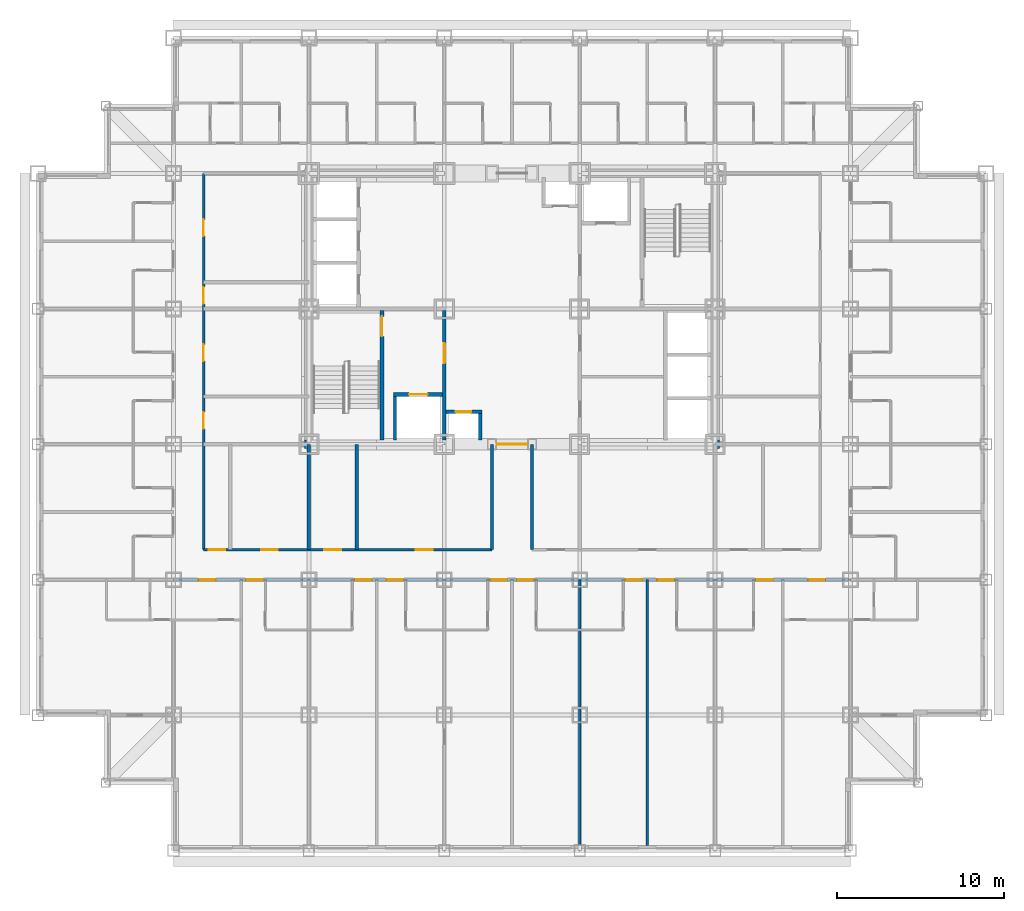
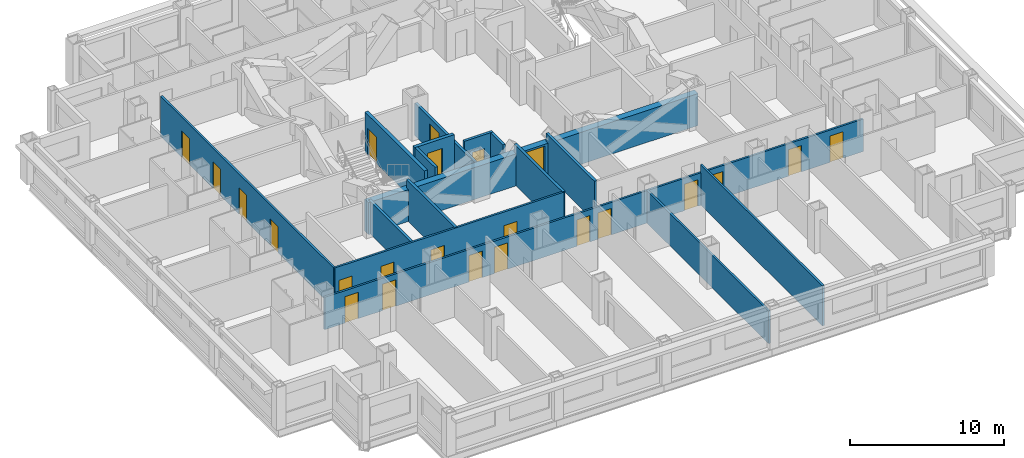
# One storey, part 5 of 12: 23 doors, 16 walls, 23 openings.
"""IFC4 building model written with IfcOpenShell, lengths in metres."""

from ifc_helpers import new_model, si_unit, direction, frame, frame_2d, origin, place, context, subcontext, project, spatial, rectangle, extrude, material, layer, layer_set, type_object, element, fill, save


model = new_model("IFC4")

# Units and contexts
model_context = context("Model", 3, precision=1e-05, world=origin(), true_north=direction((0.0, 1.0)))
body_context = subcontext(model_context, "Body", "Model", "MODEL_VIEW")
ifc_project = project(units=[si_unit("LENGTHUNIT", "METRE"), si_unit("AREAUNIT", "SQUARE_METRE"), si_unit("VOLUMEUNIT", "CUBIC_METRE"), si_unit("PLANEANGLEUNIT", "RADIAN"), si_unit("MASSUNIT", "GRAM", prefix="KILO")], contexts=[model_context])

# Site, building, storey
site_placement = place(None, origin())
site = spatial("IfcSite", under=ifc_project, at=site_placement, CompositionType="ELEMENT")
building_placement = place(site_placement, origin())
building = spatial("IfcBuilding", under=site, at=building_placement, Name="Kopane Lantern Tower", CompositionType="ELEMENT")
storey_placement = place(building_placement, frame((0.0, 0.0, 46.60009765625)))
storey = spatial("IfcBuildingStorey", under=building, at=storey_placement, Name="L10", CompositionType="ELEMENT", Elevation=46.60009765625)

# Wall, opening, door
ifc_material_1 = material(Name="Gypsum shaft wall EI 120", Category="gypsum")
ifc_layer_1 = layer(ifc_material_1, 0.5)
ifc_layer_set_1 = layer_set([ifc_layer_1], Name="CORE PERIMETER WALL 500 EI 120")
wall_type_1 = type_object("IfcWallType", Name="CORE PERIMETER WALL 500 EI 120", PredefinedType="SOLIDWALL", material=ifc_layer_set_1)
wall_1_placement = place(storey_placement, frame((15.949951171875, 24.300048828125, 0.0), z_axis=(0.0, 0.0, 1.0), x_axis=(1.0, 0.0, 0.0)))
wall_1 = element("IfcWall", 1, at=wall_1_placement, inside=storey, type_object=wall_type_1, Name="Core shaft wall L10 PS", PredefinedType="SOLIDWALL", context=body_context, shape_type="SweptSolid", body=[
    extrude(rectangle(XDim=24.800048828125, YDim=0.5, at=frame_2d((12.39990234375, 0.0))), origin(), (0.0, 0.0, 1.0), 2.539794921875),
])
opening_1_placement = place(wall_1_placement, frame((11.5, 0.0, 0.0)))
opening_1 = element("IfcOpeningElement", 2, at=opening_1_placement, cuts=wall_1, Name="Opening 10.CE-S", PredefinedType="OPENING", context=body_context, shape_type="SweptSolid", body=[
    extrude(rectangle(XDim=1.800048828125, YDim=2.39990234375, at=frame_2d((0.89990234375, 1.199951171875))), frame((0.0, 0.260009765625, 0.0), z_axis=(0.0, -1.0, 0.0), x_axis=(1.0, 0.0, 0.0)), (0.0, 0.0, 1.0), 0.52001953125),
])
ifc_material_2 = material(Name="Steel door set", Category="steel")
door_type_1 = type_object("IfcDoorType", Name="CORE ENTRY DOOR 1800x2400 FD60S", OperationType="DOUBLE_DOOR_SINGLE_SWING", PredefinedType="DOOR", material=ifc_material_2)
door_1_placement = place(opening_1_placement, origin())
door_1 = element("IfcDoor", 3, at=door_1_placement, inside=storey, type_object=door_type_1, Name="Core entry door L10 south", OperationType="DOUBLE_DOOR_SINGLE_SWING", OverallHeight=2.39990234375, OverallWidth=1.800048828125, PredefinedType="DOOR", context=body_context, shape_type="SweptSolid", body=[
    extrude(rectangle(XDim=1.800048828125, YDim=2.39990234375, at=frame_2d((0.89990234375, 1.199951171875))), frame((0.0, 0.02490234375, 0.0), z_axis=(0.0, -1.0, 0.0), x_axis=(1.0, 0.0, 0.0)), (0.0, 0.0, 1.0), 0.050048828125),
])
fill(opening_1, door_1)

ifc_material_3 = material(Name="Gypsum shaft wall EI 120", Category="gypsum")
ifc_layer_2 = layer(ifc_material_3, 0.25)
ifc_layer_set_2 = layer_set([ifc_layer_2], Name="CORE SHAFT WALL 250 EI 120")
wall_type_2 = type_object("IfcWallType", Name="CORE SHAFT WALL 250 EI 120", PredefinedType="SOLIDWALL", material=ifc_layer_set_2)
wall_2_placement = place(storey_placement, frame((20.574951171875, 24.550048828125, 0.0), z_axis=(0.0, 0.0, 1.0), x_axis=(0.0, 1.0, 0.0)))
wall_2 = element("IfcWall", 4, at=wall_2_placement, inside=storey, type_object=wall_type_2, Name="Core shaft wall L10 XST1", PredefinedType="SOLIDWALL", context=body_context, shape_type="SweptSolid", body=[
    extrude(rectangle(XDim=7.75, YDim=0.25, at=frame_2d((3.875, 0.0))), origin(), (0.0, 0.0, 1.0), 3.18994140625),
])
opening_2_placement = place(wall_2_placement, frame((6.199951171875, 0.0, 0.0)))
opening_2 = element("IfcOpeningElement", 5, at=opening_2_placement, cuts=wall_2, Name="Opening 10.SD1", PredefinedType="OPENING", context=body_context, shape_type="SweptSolid", body=[
    extrude(rectangle(XDim=1.199951171875, YDim=2.10009765625, at=frame_2d((0.60009765625, 1.050048828125))), frame((0.0, 0.135009765625, 0.0), z_axis=(0.0, -1.0, 0.0), x_axis=(1.0, 0.0, 0.0)), (0.0, 0.0, 1.0), 0.27001953125),
])
ifc_material_4 = material(Name="Steel door set", Category="steel")
door_type_2 = type_object("IfcDoorType", Name="STAIR DOOR 1200x2100 FD60S", OperationType="SINGLE_SWING_LEFT", PredefinedType="DOOR", material=ifc_material_4)
door_2_placement = place(opening_2_placement, origin())
door_2 = element("IfcDoor", 6, at=door_2_placement, inside=storey, type_object=door_type_2, Name="Stair door ST1 L10", OperationType="SINGLE_SWING_LEFT", OverallHeight=2.10009765625, OverallWidth=1.199951171875, PredefinedType="DOOR", context=body_context, shape_type="SweptSolid", body=[
    extrude(rectangle(XDim=1.199951171875, YDim=2.10009765625, at=frame_2d((0.60009765625, 1.050048828125))), frame((0.0, 0.02490234375, 0.0), z_axis=(0.0, -1.0, 0.0), x_axis=(1.0, 0.0, 0.0)), (0.0, 0.0, 1.0), 0.050048828125),
])
fill(opening_2, door_2)

wall_3_placement = place(storey_placement, frame((21.25, 27.27490234375, 0.0), z_axis=(0.0, 0.0, 1.0), x_axis=(1.0, 0.0, 0.0)))
wall_3 = element("IfcWall", 7, at=wall_3_placement, inside=storey, type_object=wall_type_2, Name="Core shaft wall L10 YLF1", PredefinedType="SOLIDWALL", context=body_context, shape_type="SweptSolid", body=[
    extrude(rectangle(XDim=2.949951171875, YDim=0.25, at=frame_2d((1.47509765625, 0.0))), origin(), (0.0, 0.0, 1.0), 3.18994140625),
])
opening_3_placement = place(wall_3_placement, frame((0.949951171875, 0.0, 0.0)))
opening_3 = element("IfcOpeningElement", 8, at=opening_3_placement, cuts=wall_3, Name="Opening 10.LD-LF1", PredefinedType="OPENING", context=body_context, shape_type="SweptSolid", body=[
    extrude(rectangle(XDim=1.10009765625, YDim=2.39990234375, at=frame_2d((0.550048828125, 1.199951171875))), frame((0.0, 0.135009765625, 0.0), z_axis=(0.0, -1.0, 0.0), x_axis=(1.0, 0.0, 0.0)), (0.0, 0.0, 1.0), 0.27001953125),
])
ifc_material_5 = material(Name="Steel door set", Category="steel")
door_type_3 = type_object("IfcDoorType", Name="LIFT LANDING DOOR 1100x2400 FD60", OperationType="DOUBLE_DOOR_SLIDING", PredefinedType="DOOR", material=ifc_material_5)
door_3_placement = place(opening_3_placement, origin())
door_3 = element("IfcDoor", 9, at=door_3_placement, inside=storey, type_object=door_type_3, Name="Landing door LF1 L10", OperationType="DOUBLE_DOOR_SLIDING", OverallHeight=2.39990234375, OverallWidth=1.10009765625, PredefinedType="DOOR", context=body_context, shape_type="SweptSolid", body=[
    extrude(rectangle(XDim=1.10009765625, YDim=2.39990234375, at=frame_2d((0.550048828125, 1.199951171875))), frame((0.0, 0.02490234375, 0.0), z_axis=(0.0, -1.0, 0.0), x_axis=(1.0, 0.0, 0.0)), (0.0, 0.0, 1.0), 0.050048828125),
])
fill(opening_3, door_3)

# Wall, openings, doors
ifc_material_6 = material(Name="Gypsum board on steel studs", Category="steel")
ifc_layer_3 = layer(ifc_material_6, 0.14990234375)
ifc_layer_set_3 = layer_set([ifc_layer_3], Name="CORRIDOR WALL 150 EI 60")
wall_type_3 = type_object("IfcWallType", Name="CORRIDOR WALL 150 EI 60", PredefinedType="PARTITIONING", material=ifc_layer_set_3)
wall_4_placement = place(storey_placement, frame((8.10009765625, 16.199951171875, 0.0), z_axis=(0.0, 0.0, 1.0), x_axis=(1.0, 0.0, 0.0)))
wall_4 = element("IfcWall", 10, at=wall_4_placement, inside=storey, type_object=wall_type_3, Name="Corridor Wall 150 Ei 60 L10", PredefinedType="PARTITIONING", context=body_context, shape_type="SweptSolid", body=[
    extrude(rectangle(XDim=40.5, YDim=0.14990234375, at=frame_2d((20.25, 0.0))), origin(), (0.0, 0.0, 1.0), 2.57763671875),
])
opening_4_placement = place(wall_4_placement, frame((4.35009765625, 0.0, 0.0)))
opening_4 = element("IfcOpeningElement", 11, at=opening_4_placement, cuts=wall_4, Name="Opening L10-017", PredefinedType="OPENING", context=body_context, shape_type="SweptSolid", body=[
    extrude(rectangle(XDim=1.0, YDim=2.10009765625, at=frame_2d((0.5, 1.050048828125))), frame((0.0, 0.0849609375, 0.0), z_axis=(0.0, -1.0, 0.0), x_axis=(1.0, 0.0, 0.0)), (0.0, 0.0, 1.0), 0.169921875),
])
opening_5_placement = place(wall_4_placement, frame((10.85009765625, 0.0, 0.0)))
opening_5 = element("IfcOpeningElement", 12, at=opening_5_placement, cuts=wall_4, Name="Opening L10-019", PredefinedType="OPENING", context=body_context, shape_type="SweptSolid", body=[
    extrude(rectangle(XDim=1.0, YDim=2.10009765625, at=frame_2d((0.5, 1.050048828125))), frame((0.0, 0.0849609375, 0.0), z_axis=(0.0, -1.0, 0.0), x_axis=(1.0, 0.0, 0.0)), (0.0, 0.0, 1.0), 0.169921875),
])
opening_6_placement = place(wall_4_placement, frame((12.75, 0.0, 0.0)))
opening_6 = element("IfcOpeningElement", 13, at=opening_6_placement, cuts=wall_4, Name="Opening L10-021", PredefinedType="OPENING", context=body_context, shape_type="SweptSolid", body=[
    extrude(rectangle(XDim=1.0, YDim=2.10009765625, at=frame_2d((0.5, 1.050048828125))), frame((0.0, 0.0849609375, 0.0), z_axis=(0.0, -1.0, 0.0), x_axis=(1.0, 0.0, 0.0)), (0.0, 0.0, 1.0), 0.169921875),
])
opening_7_placement = place(wall_4_placement, frame((18.949951171875, 0.0, 0.0)))
opening_7 = element("IfcOpeningElement", 14, at=opening_7_placement, cuts=wall_4, Name="Opening L10-023", PredefinedType="OPENING", context=body_context, shape_type="SweptSolid", body=[
    extrude(rectangle(XDim=1.0, YDim=2.10009765625, at=frame_2d((0.5, 1.050048828125))), frame((0.0, 0.0849609375, 0.0), z_axis=(0.0, -1.0, 0.0), x_axis=(1.0, 0.0, 0.0)), (0.0, 0.0, 1.0), 0.169921875),
])
opening_8_placement = place(wall_4_placement, frame((20.550048828125, 0.0, 0.0)))
opening_8 = element("IfcOpeningElement", 15, at=opening_8_placement, cuts=wall_4, Name="Opening L10-026", PredefinedType="OPENING", context=body_context, shape_type="SweptSolid", body=[
    extrude(rectangle(XDim=1.0, YDim=2.10009765625, at=frame_2d((0.5, 1.050048828125))), frame((0.0, 0.0849609375, 0.0), z_axis=(0.0, -1.0, 0.0), x_axis=(1.0, 0.0, 0.0)), (0.0, 0.0, 1.0), 0.169921875),
])
opening_9_placement = place(wall_4_placement, frame((27.050048828125, 0.0, 0.0)))
opening_9 = element("IfcOpeningElement", 16, at=opening_9_placement, cuts=wall_4, Name="Opening L10-028", PredefinedType="OPENING", context=body_context, shape_type="SweptSolid", body=[
    extrude(rectangle(XDim=1.0, YDim=2.10009765625, at=frame_2d((0.5, 1.050048828125))), frame((0.0, 0.0849609375, 0.0), z_axis=(0.0, -1.0, 0.0), x_axis=(1.0, 0.0, 0.0)), (0.0, 0.0, 1.0), 0.169921875),
])
opening_10_placement = place(wall_4_placement, frame((28.949951171875, 0.0, 0.0)))
opening_10 = element("IfcOpeningElement", 17, at=opening_10_placement, cuts=wall_4, Name="Opening L10-030", PredefinedType="OPENING", context=body_context, shape_type="SweptSolid", body=[
    extrude(rectangle(XDim=1.0, YDim=2.10009765625, at=frame_2d((0.5, 1.050048828125))), frame((0.0, 0.0849609375, 0.0), z_axis=(0.0, -1.0, 0.0), x_axis=(1.0, 0.0, 0.0)), (0.0, 0.0, 1.0), 0.169921875),
])
opening_11_placement = place(wall_4_placement, frame((34.85009765625, 0.0, 0.0)))
opening_11 = element("IfcOpeningElement", 18, at=opening_11_placement, cuts=wall_4, Name="Opening L10-032", PredefinedType="OPENING", context=body_context, shape_type="SweptSolid", body=[
    extrude(rectangle(XDim=1.0, YDim=2.10009765625, at=frame_2d((0.5, 1.050048828125))), frame((0.0, 0.0849609375, 0.0), z_axis=(0.0, -1.0, 0.0), x_axis=(1.0, 0.0, 0.0)), (0.0, 0.0, 1.0), 0.169921875),
])
opening_12_placement = place(wall_4_placement, frame((1.52490234375, 0.0, 0.0)))
opening_12 = element("IfcOpeningElement", 19, at=opening_12_placement, cuts=wall_4, Name="Opening L10-073", PredefinedType="OPENING", context=body_context, shape_type="SweptSolid", body=[
    extrude(rectangle(XDim=1.0, YDim=2.10009765625, at=frame_2d((0.5, 1.050048828125))), frame((0.0, 0.0849609375, 0.0), z_axis=(0.0, -1.0, 0.0), x_axis=(1.0, 0.0, 0.0)), (0.0, 0.0, 1.0), 0.169921875),
])
opening_13_placement = place(wall_4_placement, frame((37.97509765625, 0.0, 0.0)))
opening_13 = element("IfcOpeningElement", 20, at=opening_13_placement, cuts=wall_4, Name="Opening L10-078", PredefinedType="OPENING", context=body_context, shape_type="SweptSolid", body=[
    extrude(rectangle(XDim=1.0, YDim=2.10009765625, at=frame_2d((0.5, 1.050048828125))), frame((0.0, 0.0849609375, 0.0), z_axis=(0.0, -1.0, 0.0), x_axis=(1.0, 0.0, 0.0)), (0.0, 0.0, 1.0), 0.169921875),
])
ifc_material_7 = material(Name="Steel door set", Category="steel")
door_type_4 = type_object("IfcDoorType", Name="DOOR D1 1000x2100 FD30S", OperationType="SINGLE_SWING_LEFT", PredefinedType="DOOR", material=ifc_material_7)
door_4_placement = place(opening_4_placement, origin())
door_4 = element("IfcDoor", 21, at=door_4_placement, inside=storey, type_object=door_type_4, Name="Door L10-017", OperationType="SINGLE_SWING_LEFT", OverallHeight=2.10009765625, OverallWidth=1.0, PredefinedType="DOOR", context=body_context, shape_type="SweptSolid", body=[
    extrude(rectangle(XDim=1.0, YDim=2.10009765625, at=frame_2d((0.5, 1.050048828125))), frame((0.0, 0.02490234375, 0.0), z_axis=(0.0, -1.0, 0.0), x_axis=(1.0, 0.0, 0.0)), (0.0, 0.0, 1.0), 0.050048828125),
])
fill(opening_4, door_4)
door_5_placement = place(opening_5_placement, origin())
door_5 = element("IfcDoor", 22, at=door_5_placement, inside=storey, type_object=door_type_4, Name="Door L10-019", OperationType="SINGLE_SWING_RIGHT", OverallHeight=2.10009765625, OverallWidth=1.0, PredefinedType="DOOR", context=body_context, shape_type="SweptSolid", body=[
    extrude(rectangle(XDim=1.0, YDim=2.10009765625, at=frame_2d((0.5, 1.050048828125))), frame((0.0, 0.02490234375, 0.0), z_axis=(0.0, -1.0, 0.0), x_axis=(1.0, 0.0, 0.0)), (0.0, 0.0, 1.0), 0.050048828125),
])
fill(opening_5, door_5)
door_6_placement = place(opening_6_placement, origin())
door_6 = element("IfcDoor", 23, at=door_6_placement, inside=storey, type_object=door_type_4, Name="Door L10-021", OperationType="SINGLE_SWING_LEFT", OverallHeight=2.10009765625, OverallWidth=1.0, PredefinedType="DOOR", context=body_context, shape_type="SweptSolid", body=[
    extrude(rectangle(XDim=1.0, YDim=2.10009765625, at=frame_2d((0.5, 1.050048828125))), frame((0.0, 0.02490234375, 0.0), z_axis=(0.0, -1.0, 0.0), x_axis=(1.0, 0.0, 0.0)), (0.0, 0.0, 1.0), 0.050048828125),
])
fill(opening_6, door_6)
door_7_placement = place(opening_7_placement, origin())
door_7 = element("IfcDoor", 24, at=door_7_placement, inside=storey, type_object=door_type_4, Name="Door L10-023", OperationType="SINGLE_SWING_RIGHT", OverallHeight=2.10009765625, OverallWidth=1.0, PredefinedType="DOOR", context=body_context, shape_type="SweptSolid", body=[
    extrude(rectangle(XDim=1.0, YDim=2.10009765625, at=frame_2d((0.5, 1.050048828125))), frame((0.0, 0.02490234375, 0.0), z_axis=(0.0, -1.0, 0.0), x_axis=(1.0, 0.0, 0.0)), (0.0, 0.0, 1.0), 0.050048828125),
])
fill(opening_7, door_7)
door_8_placement = place(opening_8_placement, origin())
door_8 = element("IfcDoor", 25, at=door_8_placement, inside=storey, type_object=door_type_4, Name="Door L10-026", OperationType="SINGLE_SWING_LEFT", OverallHeight=2.10009765625, OverallWidth=1.0, PredefinedType="DOOR", context=body_context, shape_type="SweptSolid", body=[
    extrude(rectangle(XDim=1.0, YDim=2.10009765625, at=frame_2d((0.5, 1.050048828125))), frame((0.0, 0.02490234375, 0.0), z_axis=(0.0, -1.0, 0.0), x_axis=(1.0, 0.0, 0.0)), (0.0, 0.0, 1.0), 0.050048828125),
])
fill(opening_8, door_8)
door_9_placement = place(opening_9_placement, origin())
door_9 = element("IfcDoor", 26, at=door_9_placement, inside=storey, type_object=door_type_4, Name="Door L10-028", OperationType="SINGLE_SWING_RIGHT", OverallHeight=2.10009765625, OverallWidth=1.0, PredefinedType="DOOR", context=body_context, shape_type="SweptSolid", body=[
    extrude(rectangle(XDim=1.0, YDim=2.10009765625, at=frame_2d((0.5, 1.050048828125))), frame((0.0, 0.02490234375, 0.0), z_axis=(0.0, -1.0, 0.0), x_axis=(1.0, 0.0, 0.0)), (0.0, 0.0, 1.0), 0.050048828125),
])
fill(opening_9, door_9)
door_10_placement = place(opening_10_placement, origin())
door_10 = element("IfcDoor", 27, at=door_10_placement, inside=storey, type_object=door_type_4, Name="Door L10-030", OperationType="SINGLE_SWING_LEFT", OverallHeight=2.10009765625, OverallWidth=1.0, PredefinedType="DOOR", context=body_context, shape_type="SweptSolid", body=[
    extrude(rectangle(XDim=1.0, YDim=2.10009765625, at=frame_2d((0.5, 1.050048828125))), frame((0.0, 0.02490234375, 0.0), z_axis=(0.0, -1.0, 0.0), x_axis=(1.0, 0.0, 0.0)), (0.0, 0.0, 1.0), 0.050048828125),
])
fill(opening_10, door_10)
door_11_placement = place(opening_11_placement, origin())
door_11 = element("IfcDoor", 28, at=door_11_placement, inside=storey, type_object=door_type_4, Name="Door L10-032", OperationType="SINGLE_SWING_RIGHT", OverallHeight=2.10009765625, OverallWidth=1.0, PredefinedType="DOOR", context=body_context, shape_type="SweptSolid", body=[
    extrude(rectangle(XDim=1.0, YDim=2.10009765625, at=frame_2d((0.5, 1.050048828125))), frame((0.0, 0.02490234375, 0.0), z_axis=(0.0, -1.0, 0.0), x_axis=(1.0, 0.0, 0.0)), (0.0, 0.0, 1.0), 0.050048828125),
])
fill(opening_11, door_11)
door_12_placement = place(opening_12_placement, origin())
door_12 = element("IfcDoor", 29, at=door_12_placement, inside=storey, type_object=door_type_4, Name="Door L10-073", OperationType="SINGLE_SWING_LEFT", OverallHeight=2.10009765625, OverallWidth=1.0, PredefinedType="DOOR", context=body_context, shape_type="SweptSolid", body=[
    extrude(rectangle(XDim=1.0, YDim=2.10009765625, at=frame_2d((0.5, 1.050048828125))), frame((0.0, 0.02490234375, 0.0), z_axis=(0.0, -1.0, 0.0), x_axis=(1.0, 0.0, 0.0)), (0.0, 0.0, 1.0), 0.050048828125),
])
fill(opening_12, door_12)
door_13_placement = place(opening_13_placement, origin())
door_13 = element("IfcDoor", 30, at=door_13_placement, inside=storey, type_object=door_type_4, Name="Door L10-078", OperationType="SINGLE_SWING_RIGHT", OverallHeight=2.10009765625, OverallWidth=1.0, PredefinedType="DOOR", context=body_context, shape_type="SweptSolid", body=[
    extrude(rectangle(XDim=1.0, YDim=2.10009765625, at=frame_2d((0.5, 1.050048828125))), frame((0.0, 0.02490234375, 0.0), z_axis=(0.0, -1.0, 0.0), x_axis=(1.0, 0.0, 0.0)), (0.0, 0.0, 1.0), 0.050048828125),
])
fill(opening_13, door_13)

wall_5_placement = place(storey_placement, frame((9.89990234375, 40.5, 0.0), z_axis=(0.0, 0.0, 1.0), x_axis=(0.0, -1.0, 0.0)))
wall_5 = element("IfcWall", 31, at=wall_5_placement, inside=storey, type_object=wall_type_3, Name="Corridor Wall 150 Ei 60 L10", PredefinedType="PARTITIONING", context=body_context, shape_type="SweptSolid", body=[
    extrude(rectangle(XDim=22.5, YDim=0.14990234375, at=frame_2d((11.25, 0.0))), origin(), (0.0, 0.0, 1.0), 3.18994140625),
])
opening_14_placement = place(wall_5_placement, frame((14.271484375, 0.0, 0.0)))
opening_14 = element("IfcOpeningElement", 32, at=opening_14_placement, cuts=wall_5, Name="Opening L10-001", PredefinedType="OPENING", context=body_context, shape_type="SweptSolid", body=[
    extrude(rectangle(XDim=1.0, YDim=2.10009765625, at=frame_2d((0.5, 1.050048828125))), frame((0.0, 0.0849609375, 0.0), z_axis=(0.0, -1.0, 0.0), x_axis=(1.0, 0.0, 0.0)), (0.0, 0.0, 1.0), 0.169921875),
])
opening_15_placement = place(wall_5_placement, frame((10.221435546875, 0.0, 0.0)))
opening_15 = element("IfcOpeningElement", 33, at=opening_15_placement, cuts=wall_5, Name="Opening L10-002", PredefinedType="OPENING", context=body_context, shape_type="SweptSolid", body=[
    extrude(rectangle(XDim=1.0, YDim=2.10009765625, at=frame_2d((0.5, 1.050048828125))), frame((0.0, 0.0849609375, 0.0), z_axis=(0.0, -1.0, 0.0), x_axis=(1.0, 0.0, 0.0)), (0.0, 0.0, 1.0), 0.169921875),
])
opening_16_placement = place(wall_5_placement, frame((6.800048828125, 0.0, 0.0)))
opening_16 = element("IfcOpeningElement", 34, at=opening_16_placement, cuts=wall_5, Name="Opening L10-003", PredefinedType="OPENING", context=body_context, shape_type="SweptSolid", body=[
    extrude(rectangle(XDim=1.0, YDim=2.10009765625, at=frame_2d((0.5, 1.050048828125))), frame((0.0, 0.0849609375, 0.0), z_axis=(0.0, -1.0, 0.0), x_axis=(1.0, 0.0, 0.0)), (0.0, 0.0, 1.0), 0.169921875),
])
opening_17_placement = place(wall_5_placement, frame((2.75, 0.0, 0.0)))
opening_17 = element("IfcOpeningElement", 35, at=opening_17_placement, cuts=wall_5, Name="Opening L10-004", PredefinedType="OPENING", context=body_context, shape_type="SweptSolid", body=[
    extrude(rectangle(XDim=1.0, YDim=2.10009765625, at=frame_2d((0.5, 1.050048828125))), frame((0.0, 0.0849609375, 0.0), z_axis=(0.0, -1.0, 0.0), x_axis=(1.0, 0.0, 0.0)), (0.0, 0.0, 1.0), 0.169921875),
])
ifc_material_8 = material(Name="Steel door set", Category="steel")
door_type_5 = type_object("IfcDoorType", Name="DOOR D5 1000x2100 FD60", OperationType="SINGLE_SWING_LEFT", PredefinedType="DOOR", material=ifc_material_8)
door_14_placement = place(opening_14_placement, origin())
door_14 = element("IfcDoor", 36, at=door_14_placement, inside=storey, type_object=door_type_5, Name="Door L10-001", OperationType="SINGLE_SWING_RIGHT", OverallHeight=2.10009765625, OverallWidth=1.0, PredefinedType="DOOR", context=body_context, shape_type="SweptSolid", body=[
    extrude(rectangle(XDim=1.0, YDim=2.10009765625, at=frame_2d((0.5, 1.050048828125))), frame((0.0, 0.02490234375, 0.0), z_axis=(0.0, -1.0, 0.0), x_axis=(1.0, 0.0, 0.0)), (0.0, 0.0, 1.0), 0.050048828125),
])
fill(opening_14, door_14)
door_15_placement = place(opening_15_placement, origin())
door_15 = element("IfcDoor", 37, at=door_15_placement, inside=storey, type_object=door_type_5, Name="Door L10-002", OperationType="SINGLE_SWING_LEFT", OverallHeight=2.10009765625, OverallWidth=1.0, PredefinedType="DOOR", context=body_context, shape_type="SweptSolid", body=[
    extrude(rectangle(XDim=1.0, YDim=2.10009765625, at=frame_2d((0.5, 1.050048828125))), frame((0.0, 0.02490234375, 0.0), z_axis=(0.0, -1.0, 0.0), x_axis=(1.0, 0.0, 0.0)), (0.0, 0.0, 1.0), 0.050048828125),
])
fill(opening_15, door_15)
door_16_placement = place(opening_16_placement, origin())
door_16 = element("IfcDoor", 38, at=door_16_placement, inside=storey, type_object=door_type_5, Name="Door L10-003", OperationType="SINGLE_SWING_RIGHT", OverallHeight=2.10009765625, OverallWidth=1.0, PredefinedType="DOOR", context=body_context, shape_type="SweptSolid", body=[
    extrude(rectangle(XDim=1.0, YDim=2.10009765625, at=frame_2d((0.5, 1.050048828125))), frame((0.0, 0.02490234375, 0.0), z_axis=(0.0, -1.0, 0.0), x_axis=(1.0, 0.0, 0.0)), (0.0, 0.0, 1.0), 0.050048828125),
])
fill(opening_16, door_16)
door_17_placement = place(opening_17_placement, origin())
door_17 = element("IfcDoor", 39, at=door_17_placement, inside=storey, type_object=door_type_5, Name="Door L10-004", OperationType="SINGLE_SWING_LEFT", OverallHeight=2.10009765625, OverallWidth=1.0, PredefinedType="DOOR", context=body_context, shape_type="SweptSolid", body=[
    extrude(rectangle(XDim=1.0, YDim=2.10009765625, at=frame_2d((0.5, 1.050048828125))), frame((0.0, 0.02490234375, 0.0), z_axis=(0.0, -1.0, 0.0), x_axis=(1.0, 0.0, 0.0)), (0.0, 0.0, 1.0), 0.050048828125),
])
fill(opening_17, door_17)

wall_6_placement = place(storey_placement, frame((9.89990234375, 18.0, 0.0), z_axis=(0.0, 0.0, 1.0), x_axis=(1.0, 0.0, 0.0)))
wall_6 = element("IfcWall", 40, at=wall_6_placement, inside=storey, type_object=wall_type_3, Name="Corridor Wall 150 Ei 60 L10", PredefinedType="PARTITIONING", context=body_context, shape_type="SweptSolid", body=[
    extrude(rectangle(XDim=17.239990234375, YDim=0.14990234375, at=frame_2d((8.6201171875, 0.0))), origin(), (0.0, 0.0, 1.0), 3.18994140625),
])
opening_18_placement = place(wall_6_placement, frame((0.300048828125, 0.0, 0.0)))
opening_18 = element("IfcOpeningElement", 41, at=opening_18_placement, cuts=wall_6, Name="Opening L10-008", PredefinedType="OPENING", context=body_context, shape_type="SweptSolid", body=[
    extrude(rectangle(XDim=1.0, YDim=2.10009765625, at=frame_2d((0.5, 1.050048828125))), frame((0.0, 0.0849609375, 0.0), z_axis=(0.0, -1.0, 0.0), x_axis=(1.0, 0.0, 0.0)), (0.0, 0.0, 1.0), 0.169921875),
])
opening_19_placement = place(wall_6_placement, frame((3.449951171875, 0.0, 0.0)))
opening_19 = element("IfcOpeningElement", 42, at=opening_19_placement, cuts=wall_6, Name="Opening L10-009", PredefinedType="OPENING", context=body_context, shape_type="SweptSolid", body=[
    extrude(rectangle(XDim=1.0, YDim=2.10009765625, at=frame_2d((0.5, 1.050048828125))), frame((0.0, 0.0849609375, 0.0), z_axis=(0.0, -1.0, 0.0), x_axis=(1.0, 0.0, 0.0)), (0.0, 0.0, 1.0), 0.169921875),
])
opening_20_placement = place(wall_6_placement, frame((7.228515625, 0.0, 0.0)))
opening_20 = element("IfcOpeningElement", 43, at=opening_20_placement, cuts=wall_6, Name="Opening L10-010", PredefinedType="OPENING", context=body_context, shape_type="SweptSolid", body=[
    extrude(rectangle(XDim=1.0, YDim=2.10009765625, at=frame_2d((0.5, 1.050048828125))), frame((0.0, 0.0849609375, 0.0), z_axis=(0.0, -1.0, 0.0), x_axis=(1.0, 0.0, 0.0)), (0.0, 0.0, 1.0), 0.169921875),
])
opening_21_placement = place(wall_6_placement, frame((12.70361328125, 0.0, 0.0)))
opening_21 = element("IfcOpeningElement", 44, at=opening_21_placement, cuts=wall_6, Name="Opening L10-011", PredefinedType="OPENING", context=body_context, shape_type="SweptSolid", body=[
    extrude(rectangle(XDim=1.0, YDim=2.10009765625, at=frame_2d((0.5, 1.050048828125))), frame((0.0, 0.0849609375, 0.0), z_axis=(0.0, -1.0, 0.0), x_axis=(1.0, 0.0, 0.0)), (0.0, 0.0, 1.0), 0.169921875),
])
door_18_placement = place(opening_18_placement, origin())
door_18 = element("IfcDoor", 45, at=door_18_placement, inside=storey, type_object=door_type_5, Name="Door L10-008", OperationType="SINGLE_SWING_LEFT", OverallHeight=2.10009765625, OverallWidth=1.0, PredefinedType="DOOR", context=body_context, shape_type="SweptSolid", body=[
    extrude(rectangle(XDim=1.0, YDim=2.10009765625, at=frame_2d((0.5, 1.050048828125))), frame((0.0, 0.02490234375, 0.0), z_axis=(0.0, -1.0, 0.0), x_axis=(1.0, 0.0, 0.0)), (0.0, 0.0, 1.0), 0.050048828125),
])
fill(opening_18, door_18)
door_19_placement = place(opening_19_placement, origin())
door_19 = element("IfcDoor", 46, at=door_19_placement, inside=storey, type_object=door_type_5, Name="Door L10-009", OperationType="SINGLE_SWING_RIGHT", OverallHeight=2.10009765625, OverallWidth=1.0, PredefinedType="DOOR", context=body_context, shape_type="SweptSolid", body=[
    extrude(rectangle(XDim=1.0, YDim=2.10009765625, at=frame_2d((0.5, 1.050048828125))), frame((0.0, 0.02490234375, 0.0), z_axis=(0.0, -1.0, 0.0), x_axis=(1.0, 0.0, 0.0)), (0.0, 0.0, 1.0), 0.050048828125),
])
fill(opening_19, door_19)
door_20_placement = place(opening_20_placement, origin())
door_20 = element("IfcDoor", 47, at=door_20_placement, inside=storey, type_object=door_type_5, Name="Door L10-010", OperationType="SINGLE_SWING_LEFT", OverallHeight=2.10009765625, OverallWidth=1.0, PredefinedType="DOOR", context=body_context, shape_type="SweptSolid", body=[
    extrude(rectangle(XDim=1.0, YDim=2.10009765625, at=frame_2d((0.5, 1.050048828125))), frame((0.0, 0.02490234375, 0.0), z_axis=(0.0, -1.0, 0.0), x_axis=(1.0, 0.0, 0.0)), (0.0, 0.0, 1.0), 0.050048828125),
])
fill(opening_20, door_20)
door_21_placement = place(opening_21_placement, origin())
door_21 = element("IfcDoor", 48, at=door_21_placement, inside=storey, type_object=door_type_5, Name="Door L10-011", OperationType="SINGLE_SWING_RIGHT", OverallHeight=2.10009765625, OverallWidth=1.0, PredefinedType="DOOR", context=body_context, shape_type="SweptSolid", body=[
    extrude(rectangle(XDim=1.0, YDim=2.10009765625, at=frame_2d((0.5, 1.050048828125))), frame((0.0, 0.02490234375, 0.0), z_axis=(0.0, -1.0, 0.0), x_axis=(1.0, 0.0, 0.0)), (0.0, 0.0, 1.0), 0.050048828125),
])
fill(opening_21, door_21)

# Walls
ifc_material_9 = material(Name="Gypsum board on steel studs", Category="steel")
ifc_layer_4 = layer(ifc_material_9, 0.14990234375)
ifc_layer_set_4 = layer_set([ifc_layer_4], Name="DEMISING WALL 150 EI 60")
wall_type_4 = type_object("IfcWallType", Name="DEMISING WALL 150 EI 60", PredefinedType="PARTITIONING", material=ifc_layer_set_4)
wall_7_placement = place(storey_placement, frame((32.39990234375, 16.199951171875, 0.0), z_axis=(0.0, 0.0, 1.0), x_axis=(0.0, -1.0, 0.0)))
element("IfcWall", 49, at=wall_7_placement, inside=storey, type_object=wall_type_4, Name="Demising Wall 150 Ei 60 L10", PredefinedType="PARTITIONING", context=body_context, shape_type="SweptSolid", body=[
    extrude(rectangle(XDim=15.89990234375, YDim=0.14990234375, at=frame_2d((7.949951171875, 0.0))), origin(), (0.0, 0.0, 1.0), 2.57763671875),
])
wall_8_placement = place(storey_placement, frame((36.449951171875, 16.199951171875, 0.0), z_axis=(0.0, 0.0, 1.0), x_axis=(0.0, -1.0, 0.0)))
element("IfcWall", 50, at=wall_8_placement, inside=storey, type_object=wall_type_4, Name="Demising Wall 150 Ei 60 L10", PredefinedType="PARTITIONING", context=body_context, shape_type="SweptSolid", body=[
    extrude(rectangle(XDim=15.89990234375, YDim=0.14990234375, at=frame_2d((7.949951171875, 0.0))), origin(), (0.0, 0.0, 1.0), 3.18994140625),
])
ifc_material_10 = material(Name="Concrete masonry", Category="masonry")
ifc_layer_5 = layer(ifc_material_10, 0.199951171875)
ifc_layer_set_5 = layer_set([ifc_layer_5], Name="PLANT ROOM WALL 200 EI 120")
wall_type_5 = type_object("IfcWallType", Name="PLANT ROOM WALL 200 EI 120", PredefinedType="SOLIDWALL", material=ifc_layer_set_5)
wall_9_placement = place(storey_placement, frame((16.199951171875, 18.0, 0.0), z_axis=(0.0, 0.0, 1.0), x_axis=(0.0, 1.0, 0.0)))
element("IfcWall", 51, at=wall_9_placement, inside=storey, type_object=wall_type_5, Name="Plant Room Wall 200 Ei 120 L10", PredefinedType="SOLIDWALL", context=body_context, shape_type="SweptSolid", body=[
    extrude(rectangle(XDim=6.300048828125, YDim=0.199951171875, at=frame_2d((3.14990234375, 0.0))), origin(), (0.0, 0.0, 1.0), 2.57763671875),
])
for number, where, z_axis, x_axis, name in (
    (52, (19.05712890625, 18.0, 0.0), (0.0, 0.0, 1.0), (0.0, 1.0, 0.0), "Plant Room Wall 200 Ei 120 L10"),
    (53, (27.14990234375, 18.0, 0.0), (0.0, 0.0, 1.0), (0.0, 1.0, 0.0), "Plant Room Wall 200 Ei 120 L10"),
    (54, (29.550048828125, 18.0, 0.0), (0.0, 0.0, 1.0), (0.0, 1.0, 0.0), "Plant Room Wall 200 Ei 120 L10"),
):
    element("IfcWall", number, at=place(storey_placement, frame(where, z_axis=z_axis, x_axis=x_axis)), inside=storey, type_object=wall_type_5, Name=name, PredefinedType="SOLIDWALL", context=body_context, shape_type="SweptSolid", body=[
        extrude(rectangle(XDim=6.300048828125, YDim=0.199951171875, at=frame_2d((3.14990234375, 0.0))), origin(), (0.0, 0.0, 1.0), 3.18994140625),
    ])

# Wall, opening, door
ifc_material_11 = material(Name="Gypsum shaft wall EI 120", Category="gypsum")
ifc_layer_6 = layer(ifc_material_11, 0.199951171875)
ifc_layer_set_6 = layer_set([ifc_layer_6], Name="SHAFT WALL 200 EI 120")
wall_type_6 = type_object("IfcWallType", Name="SHAFT WALL 200 EI 120", PredefinedType="SOLIDWALL", material=ifc_layer_set_6)
wall_10_placement = place(storey_placement, frame((24.300048828125, 24.550048828125, 0.0), z_axis=(0.0, 0.0, 1.0), x_axis=(0.0, 1.0, 0.0)))
wall_10 = element("IfcWall", 55, at=wall_10_placement, inside=storey, type_object=wall_type_6, Name="Core shaft wall L10 X243", PredefinedType="SOLIDWALL", context=body_context, shape_type="SweptSolid", body=[
    extrude(rectangle(XDim=7.75, YDim=0.199951171875, at=frame_2d((3.875, 0.0))), origin(), (0.0, 0.0, 1.0), 2.57763671875),
])
opening_22_placement = place(wall_10_placement, frame((4.60009765625, 0.0, 0.0)))
opening_22 = element("IfcOpeningElement", 56, at=opening_22_placement, cuts=wall_10, Name="Opening 10.FL1", PredefinedType="OPENING", context=body_context, shape_type="SweptSolid", body=[
    extrude(rectangle(XDim=1.199951171875, YDim=2.10009765625, at=frame_2d((0.60009765625, 1.050048828125))), frame((0.0, 0.10986328125, 0.0), z_axis=(0.0, -1.0, 0.0), x_axis=(1.0, 0.0, 0.0)), (0.0, 0.0, 1.0), 0.219970703125),
])
ifc_material_12 = material(Name="Steel door set", Category="steel")
door_type_6 = type_object("IfcDoorType", Name="FIREFIGHTING LOBBY DOOR 1200x2100 FD60S", OperationType="SINGLE_SWING_RIGHT", PredefinedType="DOOR", material=ifc_material_12)
door_22_placement = place(opening_22_placement, origin())
door_22 = element("IfcDoor", 57, at=door_22_placement, inside=storey, type_object=door_type_6, Name="Firefighting lobby door FL1 L10", OperationType="SINGLE_SWING_LEFT", OverallHeight=2.10009765625, OverallWidth=1.199951171875, PredefinedType="DOOR", context=body_context, shape_type="SweptSolid", body=[
    extrude(rectangle(XDim=1.199951171875, YDim=2.10009765625, at=frame_2d((0.60009765625, 1.050048828125))), frame((0.0, 0.02490234375, 0.0), z_axis=(0.0, -1.0, 0.0), x_axis=(1.0, 0.0, 0.0)), (0.0, 0.0, 1.0), 0.050048828125),
])
fill(opening_22, door_22)

# Walls
wall_11_placement = place(storey_placement, frame((21.35009765625, 24.550048828125, 0.0), z_axis=(0.0, 0.0, 1.0), x_axis=(0.0, 1.0, 0.0)))
element("IfcWall", 58, at=wall_11_placement, inside=storey, type_object=wall_type_6, Name="Core shaft wall L10 XLF1", PredefinedType="SOLIDWALL", context=body_context, shape_type="SweptSolid", body=[
    extrude(rectangle(XDim=2.599853515625, YDim=0.199951171875, at=frame_2d((1.2998046875, 0.0))), origin(), (0.0, 0.0, 1.0), 3.18994140625),
])
wall_12_placement = place(storey_placement, frame((26.449951171875, 24.550048828125, 0.0), z_axis=(0.0, 0.0, 1.0), x_axis=(0.0, 1.0, 0.0)))
element("IfcWall", 59, at=wall_12_placement, inside=storey, type_object=wall_type_6, Name="Core shaft wall L10 XRS1", PredefinedType="SOLIDWALL", context=body_context, shape_type="SweptSolid", body=[
    extrude(rectangle(XDim=1.599853515625, YDim=0.199951171875, at=frame_2d((0.7998046875, 0.0))), origin(), (0.0, 0.0, 1.0), 3.18994140625),
])

# Wall, opening, door
wall_13_placement = place(storey_placement, frame((24.39990234375, 26.25, 0.0), z_axis=(0.0, 0.0, 1.0), x_axis=(1.0, 0.0, 0.0)))
wall_13 = element("IfcWall", 60, at=wall_13_placement, inside=storey, type_object=wall_type_6, Name="Core shaft wall L10 YRS1", PredefinedType="SOLIDWALL", context=body_context, shape_type="SweptSolid", body=[
    extrude(rectangle(XDim=2.150146484375, YDim=0.199951171875, at=frame_2d((1.0751953125, 0.0))), origin(), (0.0, 0.0, 1.0), 3.18994140625),
])
opening_23_placement = place(wall_13_placement, frame((0.60009765625, 0.0, 0.0)))
opening_23 = element("IfcOpeningElement", 61, at=opening_23_placement, cuts=wall_13, Name="Opening 10.RS1", PredefinedType="OPENING", context=body_context, shape_type="SweptSolid", body=[
    extrude(rectangle(XDim=0.89990234375, YDim=2.10009765625, at=frame_2d((0.449951171875, 1.050048828125))), frame((0.0, 0.10986328125, 0.0), z_axis=(0.0, -1.0, 0.0), x_axis=(1.0, 0.0, 0.0)), (0.0, 0.0, 1.0), 0.219970703125),
])
ifc_material_13 = material(Name="Steel door set", Category="steel")
door_type_7 = type_object("IfcDoorType", Name="RISER ACCESS DOOR 900x2100 FD60", OperationType="SINGLE_SWING_LEFT", PredefinedType="DOOR", material=ifc_material_13)
door_23_placement = place(opening_23_placement, origin())
door_23 = element("IfcDoor", 62, at=door_23_placement, inside=storey, type_object=door_type_7, Name="Riser access door RS1 L10", OperationType="SINGLE_SWING_LEFT", OverallHeight=2.10009765625, OverallWidth=0.89990234375, PredefinedType="DOOR", context=body_context, shape_type="SweptSolid", body=[
    extrude(rectangle(XDim=0.89990234375, YDim=2.10009765625, at=frame_2d((0.449951171875, 1.050048828125))), frame((0.0, 0.02490234375, 0.0), z_axis=(0.0, -1.0, 0.0), x_axis=(1.0, 0.0, 0.0)), (0.0, 0.0, 1.0), 0.050048828125),
])
fill(opening_23, door_23)

save(model, "model.ifc")
